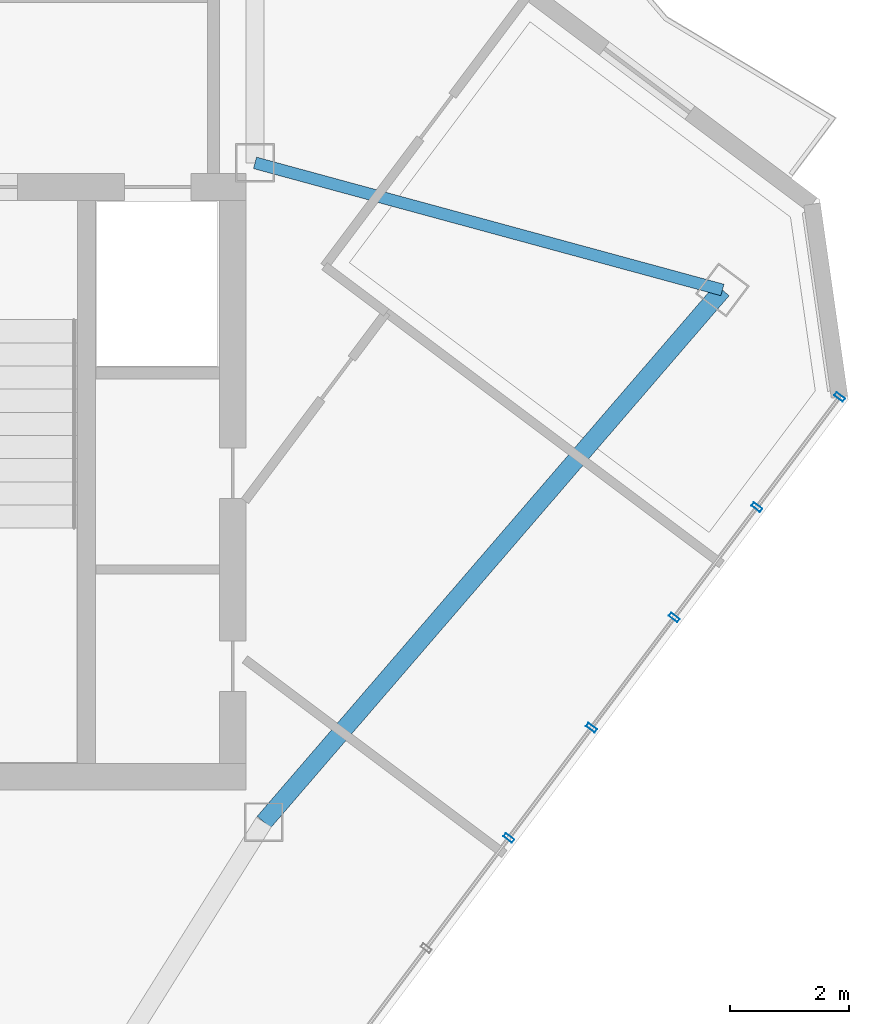
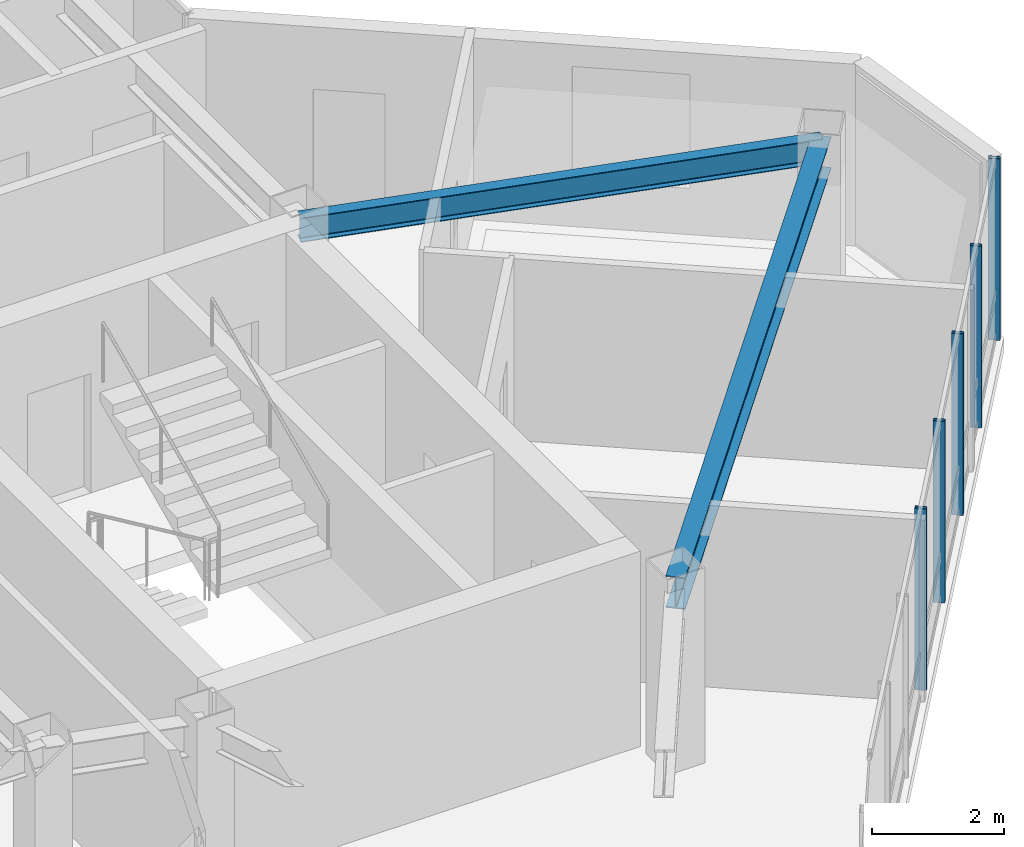
# One storey, part 11 of 21: 5 members, 2 beams, 1 element without a shape of its own.
"""IFC4 building model written with IfcOpenShell, lengths in metres."""

import ifcopenshell
import ifcopenshell.guid

model = None  # the IFC model being written
_history = None  # IfcOwnerHistory: only IFC2X3 demands one
_inside = {}  # id of a spatial element -> (the spatial element, [elements in it])
_under = {}  # id of a project, library or spatial element -> (it, [spatial elements below it])
_declared = {}  # id of a project -> (the project, [libraries it declares])
_typed = {}  # id of a type object -> (the type object, [elements of that type])
_made_of = {}  # id of a material, layer set ... -> (it, [elements and type objects made of it])


def new_model(schema):
    """Start an empty IFC model of exactly this schema.

    Asked for "IFC4X3", IfcOpenShell would pick the latest addendum, in which some entities
    have other attributes; the version numbers below select the first issue.
    IFC2X3 requires an IfcOwnerHistory on every rooted entity: one is made here for all.
    """
    global model, _history
    if schema == "IFC4X3":
        model = ifcopenshell.file(schema_version=(4, 3, 0, 0))
    else:
        model = ifcopenshell.file(schema=schema)
    _inside.clear()
    _under.clear()
    _declared.clear()
    _typed.clear()
    _made_of.clear()
    _history = None
    if model.schema == "IFC2X3":
        org = make("IfcOrganization", Name="unknown")
        user = make(
            "IfcPersonAndOrganization",
            ThePerson=make("IfcPerson", FamilyName="unknown"),
            TheOrganization=org,
        )
        app = make(
            "IfcApplication",
            ApplicationDeveloper=org,
            Version="unknown",
            ApplicationFullName="unknown",
            ApplicationIdentifier="unknown",
        )
        _history = make(
            "IfcOwnerHistory",
            OwningUser=user,
            OwningApplication=app,
            ChangeAction="ADDED",
            CreationDate=0,
        )
    return model


def make(cls, **values):
    """One entity of the class cls with the attributes given. An attribute that is None is left unset."""
    return model.create_entity(
        cls, **{name: value for name, value in values.items() if value is not None}
    )


def rooted(cls, **values):
    """An entity with a GlobalId (a new one), such as an element, a storey or a relation."""
    return make(cls, GlobalId=ifcopenshell.guid.new(), OwnerHistory=_history, **values)


def si_unit(unit_type, name, prefix=None):
    """IfcSIUnit, for example si_unit("LENGTHUNIT", "METRE", prefix="MILLI")."""
    return make("IfcSIUnit", UnitType=unit_type, Prefix=prefix, Name=name)


def assignment(units):
    """IfcUnitAssignment: the units of a project."""
    return None if units is None else make("IfcUnitAssignment", Units=units)


def point(xyz):
    """IfcCartesianPoint."""
    return None if xyz is None else make("IfcCartesianPoint", Coordinates=xyz)


def direction(xyz):
    """IfcDirection."""
    return None if xyz is None else make("IfcDirection", DirectionRatios=xyz)


def frame(location, z_axis=None, x_axis=None):
    """IfcAxis2Placement3D, a coordinate frame: its origin and axes. An axis left out is left unset."""
    return make(
        "IfcAxis2Placement3D",
        Location=point(location),
        Axis=direction(z_axis),
        RefDirection=direction(x_axis),
    )


def frame_2d(location, x_axis=None):
    """IfcAxis2Placement2D, a coordinate frame in the plane: its origin and x axis."""
    return make(
        "IfcAxis2Placement2D", Location=point(location), RefDirection=direction(x_axis)
    )


def origin():
    """The frame at (0, 0, 0) with its axes left unset."""
    return frame((0.0, 0.0, 0.0))


def origin_2d():
    """The frame at (0, 0) in the plane with its x axis left unset."""
    return frame_2d((0.0, 0.0))


def place(relative_to, where):
    """IfcLocalPlacement: puts the frame where relative to a parent placement (None: the world)."""
    return make(
        "IfcLocalPlacement", PlacementRelTo=relative_to, RelativePlacement=where
    )


def context(
    kind, dimensions, precision=None, world=None, true_north=None, identifier=None
):
    """IfcGeometricRepresentationContext, for example the 3D "Model" context."""
    return make(
        "IfcGeometricRepresentationContext",
        ContextIdentifier=identifier,
        ContextType=kind,
        CoordinateSpaceDimension=dimensions,
        Precision=precision,
        WorldCoordinateSystem=world,
        TrueNorth=true_north,
    )


def subcontext(parent, identifier, kind, view, scale=None):
    """IfcGeometricRepresentationSubContext, for example "Body" below "Model"."""
    return make(
        "IfcGeometricRepresentationSubContext",
        ContextIdentifier=identifier,
        ContextType=kind,
        ParentContext=parent,
        TargetScale=scale,
        TargetView=view,
    )


def project(units=None, contexts=None):
    """IfcProject with its units and contexts."""
    return rooted(
        "IfcProject",
        Name="project",
        RepresentationContexts=contexts,
        UnitsInContext=assignment(units),
    )


def spatial(cls, under=None, at=None, **own):
    """A site, building, storey or space (cls), placed at a placement, below another one or the project."""
    s = rooted(cls, ObjectPlacement=at, **own)
    if under is not None:
        _under.setdefault(under.id(), (under, []))[1].append(s)
    return s


def profile(cls, at=None, kind="AREA", **sizes):
    """A parametric profile (cls). Its sizes go by their IFC names, for example OverallWidth=200.0."""
    return make(cls, ProfileType=kind, Position=at, **sizes)


def hollow_rectangle(**sizes):
    """IfcRectangleHollowProfileDef."""
    return profile("IfcRectangleHollowProfileDef", **sizes)


def i_section(**sizes):
    """IfcIShapeProfileDef."""
    return profile("IfcIShapeProfileDef", **sizes)


def extrude(swept, where, along, depth):
    """IfcExtrudedAreaSolid: the profile swept, set in the frame where, extruded along a direction by depth."""
    return make(
        "IfcExtrudedAreaSolid",
        SweptArea=swept,
        Position=where,
        ExtrudedDirection=direction(along),
        Depth=depth,
    )


def shape(context_of_items, identifier, shape_type, items):
    """IfcShapeRepresentation: the items that make up one representation, for example the "Body"."""
    return make(
        "IfcShapeRepresentation",
        ContextOfItems=context_of_items,
        RepresentationIdentifier=identifier,
        RepresentationType=shape_type,
        Items=items,
    )


def material(Name=None, Category=None):
    """IfcMaterial."""
    return make("IfcMaterial", Name=Name, Category=Category)


def layer(
    of_material, thickness, ventilated=None, Name=None, Category=None, Priority=None
):
    """IfcMaterialLayer: one layer of a wall or slab, of a material (None: an air gap)."""
    return make(
        "IfcMaterialLayer",
        Material=of_material,
        LayerThickness=thickness,
        IsVentilated=ventilated,
        Name=Name,
        Category=Category,
        Priority=Priority,
    )


def layer_set(layers, Name=None):
    """IfcMaterialLayerSet."""
    return make("IfcMaterialLayerSet", MaterialLayers=layers, LayerSetName=Name)


def material_profile(
    of_material, cross_section, Name=None, Category=None, Priority=None
):
    """IfcMaterialProfile: a cross section and its material."""
    return make(
        "IfcMaterialProfile",
        Name=Name,
        Material=of_material,
        Profile=cross_section,
        Priority=Priority,
        Category=Category,
    )


def profile_set(profiles, Name=None, composite=None):
    """IfcMaterialProfileSet."""
    return make(
        "IfcMaterialProfileSet",
        Name=Name,
        MaterialProfiles=profiles,
        CompositeProfile=composite,
    )


def made_of(thing, what):
    """Note that an element or type object is made of a material, layer set ...; save() writes the relation."""
    if what is not None:
        _made_of.setdefault(what.id(), (what, []))[1].append(thing)
    return thing


def type_object(cls, material=None, **own):
    """A type object (cls), such as IfcWallType, which elements share."""
    return made_of(rooted(cls, **own), material)


def element(
    cls,
    number,
    at=None,
    inside=None,
    cuts=None,
    type_object=None,
    material=None,
    context=None,
    identifier="Body",
    shape_type=None,
    held_by="IfcProductDefinitionShape",
    body=None,
    shapes=None,
    **own,
):
    """One element of the class cls, such as IfcWall. Its Tag is "e" and its number.

    at: its placement. inside: the storey or other place that contains it. cuts: it is an
    opening in that element (IfcRelVoidsElement). A single representation is given by context,
    identifier, shape_type and body (its items); several are given by shapes. held_by: the class
    of the entity that holds the representations. save() writes the other relations.
    """
    e = rooted(cls, Tag="e%d" % number, ObjectPlacement=at, **own)
    if body is not None:
        shapes = [shape(context, identifier, shape_type, body)]
    if shapes is not None:
        e.Representation = make(held_by, Representations=shapes)
    if inside is not None:
        _inside.setdefault(inside.id(), (inside, []))[1].append(e)
    if cuts is not None:
        rooted(
            "IfcRelVoidsElement", RelatingBuildingElement=cuts, RelatedOpeningElement=e
        )
    if type_object is not None:
        _typed.setdefault(type_object.id(), (type_object, []))[1].append(e)
    return made_of(e, material)


def aggregate(whole, parts):
    """IfcRelAggregates: a whole, such as a stair, and the parts it consists of."""
    return rooted("IfcRelAggregates", RelatingObject=whole, RelatedObjects=parts)


def save(model, path):
    """Write the relations noted so far, then the file.

    IfcRelAggregates (storeys below a building ...), IfcRelContainedInSpatialStructure (elements
    in a storey), IfcRelDefinesByType, IfcRelAssociatesMaterial and IfcRelDeclares: one each for
    every whole, place, type object, material and project.
    """
    for whole, parts in _under.values():
        aggregate(whole, parts)
    for where, things in _inside.values():
        rooted(
            "IfcRelContainedInSpatialStructure",
            RelatedElements=things,
            RelatingStructure=where,
        )
    for kind, things in _typed.values():
        rooted("IfcRelDefinesByType", RelatedObjects=things, RelatingType=kind)
    for what, things in _made_of.values():
        rooted("IfcRelAssociatesMaterial", RelatedObjects=things, RelatingMaterial=what)
    for by, libraries in _declared.values():
        rooted("IfcRelDeclares", RelatingContext=by, RelatedDefinitions=libraries)
    model.write(path)


model = new_model("IFC4")

# Units and contexts
model_context = context("Model", 3, precision=1e-05, world=origin(), true_north=direction((0.0, 1.0)))
body_context = subcontext(model_context, "Body", "Model", "MODEL_VIEW")
ifc_project = project(units=[si_unit("LENGTHUNIT", "METRE"), si_unit("AREAUNIT", "SQUARE_METRE"), si_unit("VOLUMEUNIT", "CUBIC_METRE"), si_unit("PLANEANGLEUNIT", "RADIAN"), si_unit("MASSUNIT", "GRAM", prefix="KILO")], contexts=[model_context])

# Site, building, storey
site_placement = place(None, origin())
site = spatial("IfcSite", under=ifc_project, at=site_placement, CompositionType="ELEMENT")
building_placement = place(site_placement, origin())
building = spatial("IfcBuilding", under=site, at=building_placement, Name="Hatsunagi Terrace Concourse", CompositionType="ELEMENT")
storey_placement = place(building_placement, frame((0.0, 0.0, 246.75)))
storey = spatial("IfcBuildingStorey", under=building, at=storey_placement, Name="L65", CompositionType="ELEMENT", Elevation=246.75)

# Curtain wall, members
ifc_material_1 = material(Name="Anodised Aluminium Alloy 6063-T5", Category="aluminium")
ifc_layer = layer(ifc_material_1, 0.199951171875)
ifc_layer_set = layer_set([ifc_layer], Name="OfficeZone2_CW04")
curtain_wall_type = type_object("IfcCurtainWallType", Name="OfficeZone2_CW04", PredefinedType="NOTDEFINED", material=ifc_layer_set)
curtain_wall_placement = place(storey_placement, origin())
curtain_wall = element("IfcCurtainWall", 1, at=curtain_wall_placement, inside=storey, type_object=curtain_wall_type, Name="Unitised Curtain Wall CW-04 CW-L65-03", PredefinedType="NOTDEFINED")
ifc_material_2 = material(Name="Anodised Aluminium Alloy 6063-T5", Category="aluminium")
ifc_material_profile_1 = material_profile(ifc_material_2, hollow_rectangle(XDim=0.070068359375, YDim=0.179931640625, WallThickness=0.00390625, at=origin_2d()), Name="ALU-MUL-180x70x4")
ifc_profile_set_1 = profile_set([ifc_material_profile_1], Name="Anodised Aluminium Alloy 6063-T5")
member_type = type_object("IfcMemberType", Name="CurtainWallMullion_180x70", PredefinedType="MULLION", material=ifc_profile_set_1)
member_1_placement = place(storey_placement, frame((53.492919921875, 31.35791015625, 0.0), z_axis=(0.0, 0.0, 1.0), x_axis=(-0.599969314634, -0.800023013105, 0.0)))
member_1 = element("IfcMember", 2, at=member_1_placement, type_object=member_type, Name="Curtain Wall Mullion MUL-02", PredefinedType="MULLION", context=body_context, shape_type="SweptSolid", body=[
    extrude(hollow_rectangle(XDim=0.070068359375, YDim=0.179931640625, WallThickness=0.00390625, at=origin_2d()), origin(), (0.0, 0.0, 1.0), 3.35009765625),
])
member_2_placement = place(storey_placement, frame((52.10107421875, 29.501953125, 0.0), z_axis=(0.0, 0.0, 1.0), x_axis=(-0.599969314634, -0.800023013105, 0.0)))
member_2 = element("IfcMember", 3, at=member_2_placement, type_object=member_type, Name="Curtain Wall Mullion MUL-02", PredefinedType="MULLION", context=body_context, shape_type="SweptSolid", body=[
    extrude(hollow_rectangle(XDim=0.070068359375, YDim=0.179931640625, WallThickness=0.00390625, at=origin_2d()), origin(), (0.0, 0.0, 1.0), 3.35009765625),
])
member_3_placement = place(storey_placement, frame((50.708984375, 27.64501953125, 0.0), z_axis=(0.0, 0.0, 1.0), x_axis=(-0.599969314634, -0.800023013105, 0.0)))
member_3 = element("IfcMember", 4, at=member_3_placement, type_object=member_type, Name="Curtain Wall Mullion MUL-02", PredefinedType="MULLION", context=body_context, shape_type="SweptSolid", body=[
    extrude(hollow_rectangle(XDim=0.070068359375, YDim=0.179931640625, WallThickness=0.00390625, at=origin_2d()), origin(), (0.0, 0.0, 1.0), 3.35009765625),
])
member_4_placement = place(storey_placement, frame((49.31591796875, 25.7890625, 0.0), z_axis=(0.0, 0.0, 1.0), x_axis=(-0.599969314634, -0.800023013105, 0.0)))
member_4 = element("IfcMember", 5, at=member_4_placement, type_object=member_type, Name="Curtain Wall Mullion MUL-02", PredefinedType="MULLION", context=body_context, shape_type="SweptSolid", body=[
    extrude(hollow_rectangle(XDim=0.070068359375, YDim=0.179931640625, WallThickness=0.00390625, at=origin_2d()), origin(), (0.0, 0.0, 1.0), 3.35009765625),
])
member_5_placement = place(storey_placement, frame((47.924072265625, 23.931884765625, 0.0), z_axis=(0.0, 0.0, 1.0), x_axis=(-0.599969314634, -0.800023013105, 0.0)))
member_5 = element("IfcMember", 6, at=member_5_placement, type_object=member_type, Name="Curtain Wall Mullion MUL-02", PredefinedType="MULLION", context=body_context, shape_type="SweptSolid", body=[
    extrude(hollow_rectangle(XDim=0.070068359375, YDim=0.179931640625, WallThickness=0.00390625, at=origin_2d()), origin(), (0.0, 0.0, 1.0), 3.35009765625),
])
aggregate(curtain_wall, [member_1, member_2, member_3, member_4, member_5])

# Beams
ifc_material_3 = material(Name="Steel SN490B", Category="steel")
ifc_material_profile_2 = material_profile(ifc_material_3, i_section(OverallWidth=0.300048828125, OverallDepth=0.587890625, WebThickness=0.011962890625, FlangeThickness=0.02001953125, FilletRadius=0.01806640625, at=origin_2d()), Name="H-588x300x12x20")
ifc_profile_set_2 = profile_set([ifc_material_profile_2], Name="Steel SN490B")
beam_type_1 = type_object("IfcBeamType", Name="OfficeHighGirder_H_588x300", PredefinedType="BEAM", material=ifc_profile_set_2)
beam_1_placement = place(storey_placement, frame((43.800048828125, 24.199951171875, 3.055908203125), z_axis=(0.652739101421, 0.757582777969, 0.0), x_axis=(-0.757582777969, 0.652739101421, 0.0)))
element("IfcBeam", 7, at=beam_1_placement, inside=storey, type_object=beam_type_1, Name="Beam G-06 BM-L65-SET-1B", PredefinedType="BEAM", context=body_context, shape_type="SweptSolid", body=[
    extrude(i_section(OverallWidth=0.300048828125, OverallDepth=0.587890625, WebThickness=0.011962890625, FlangeThickness=0.02001953125, FilletRadius=0.01806640625, at=origin_2d()), origin(), (0.0, 0.0, 1.0), 11.8271484375),
])
ifc_material_4 = material(Name="Steel SN490B", Category="steel")
ifc_material_profile_3 = material_profile(ifc_material_4, i_section(OverallWidth=0.199951171875, OverallDepth=0.449951171875, WebThickness=0.009033203125, FlangeThickness=0.013916015625, FilletRadius=0.01611328125, at=origin_2d()), Name="H-450x200x9x14")
ifc_profile_set_3 = profile_set([ifc_material_profile_3], Name="Steel SN490B")
beam_type_2 = type_object("IfcBeamType", Name="PerimeterSpandrel_H_450x200", PredefinedType="SPANDREL", material=ifc_profile_set_3)
beam_2_placement = place(storey_placement, frame((43.64990234375, 35.300048828125, 3.125), z_axis=(0.964958359286, -0.262403057994, 0.0), x_axis=(0.262403057994, 0.964958359286, 0.0)))
element("IfcBeam", 8, at=beam_2_placement, inside=storey, type_object=beam_type_2, Name="Beam SP-02 BM-L65-SE-NE0", PredefinedType="SPANDREL", context=body_context, shape_type="SweptSolid", body=[
    extrude(i_section(OverallWidth=0.199951171875, OverallDepth=0.449951171875, WebThickness=0.009033203125, FlangeThickness=0.013916015625, FilletRadius=0.01611328125, at=origin_2d()), origin(), (0.0, 0.0, 1.0), 8.156005859375),
])

save(model, "model.ifc")
